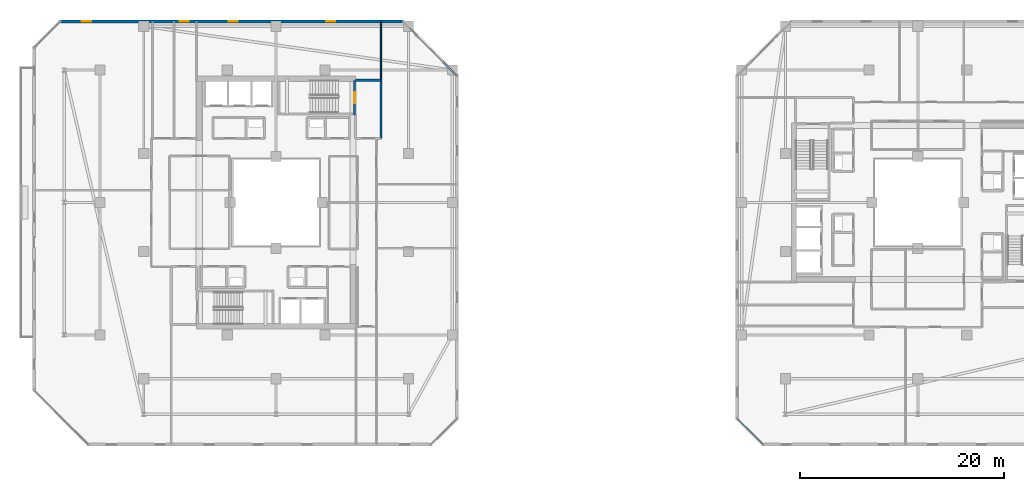
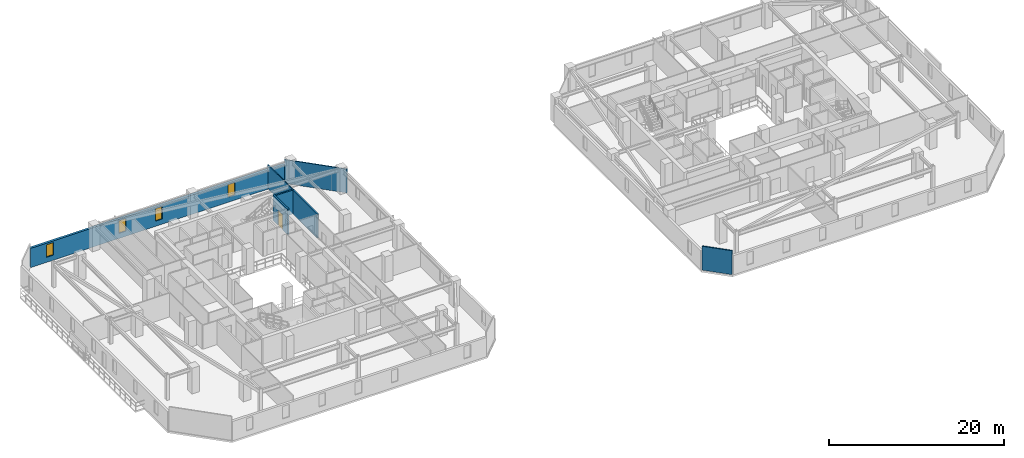
# One storey, part 21 of 32: 7 walls, 4 windows, 1 door, 5 openings.
"""IFC4 building model written with IfcOpenShell, lengths in metres."""

from ifc_helpers import new_model, si_unit, direction, frame, frame_2d, origin, place, context, subcontext, project, spatial, rectangle, extrude, material, layer, layer_set, type_object, element, fill, save


model = new_model("IFC4")

# Units and contexts
model_context = context("Model", 3, precision=1e-05, world=origin(), true_north=direction((0.0, 1.0)))
body_context = subcontext(model_context, "Body", "Model", "MODEL_VIEW")
ifc_project = project(units=[si_unit("LENGTHUNIT", "METRE"), si_unit("AREAUNIT", "SQUARE_METRE"), si_unit("VOLUMEUNIT", "CUBIC_METRE"), si_unit("PLANEANGLEUNIT", "RADIAN"), si_unit("MASSUNIT", "GRAM", prefix="KILO")], contexts=[model_context])

# Site, building, storey
site_placement = place(None, origin())
site = spatial("IfcSite", under=ifc_project, at=site_placement, CompositionType="ELEMENT")
building_placement = place(site_placement, origin())
building = spatial("IfcBuilding", under=site, at=building_placement, Name="Thornwick Lancets Civic Towers", CompositionType="ELEMENT")
storey_placement = place(building_placement, frame((0.0, 0.0, 240.300048828125)))
storey = spatial("IfcBuildingStorey", under=building, at=storey_placement, Name="L64", CompositionType="ELEMENT", Elevation=240.300048828125)

# Walls
ifc_material_1 = material(Name="Concrete blockwork C40/50", Category="masonry")
ifc_layer_1 = layer(ifc_material_1, 0.199951171875, Name="Concrete blockwork C40/50")
ifc_layer_set_1 = layer_set([ifc_layer_1], Name="Concrete blockwork C40/50")
wall_type_1 = type_object("IfcWallType", Name="WALL_COMP_200", PredefinedType="STANDARD", material=ifc_layer_set_1)
wall_1_placement = place(storey_placement, frame((35.800048828125, 33.300048828125, 0.0), z_axis=(0.0, 0.0, 1.0), x_axis=(0.0, 1.0, 0.0)))
element("IfcWall", 1, at=wall_1_placement, inside=storey, type_object=wall_type_1, Name="L64 Partition L64-A-FFLOB2 E2", PredefinedType="STANDARD", context=body_context, shape_type="SweptSolid", body=[
    extrude(rectangle(XDim=5.699951171875, YDim=0.199951171875, at=frame_2d((2.85009765625, 0.0))), origin(), (0.0, 0.0, 1.0), 3.33984375),
])
wall_2_placement = place(storey_placement, frame((35.800048828125, 39.0, 0.0), z_axis=(0.0, 0.0, 1.0), x_axis=(-1.0, 0.0, 0.0)))
element("IfcWall", 2, at=wall_2_placement, inside=storey, type_object=wall_type_1, Name="L64 Partition L64-A-FFLOB2 E3", PredefinedType="STANDARD", context=body_context, shape_type="SweptSolid", body=[
    extrude(rectangle(XDim=2.5, YDim=0.199951171875, at=frame_2d((1.25, 0.0))), origin(), (0.0, 0.0, 1.0), 3.33984375),
])

# Wall, openings, windows
ifc_material_2 = material(Name="Insulated russet terracotta rainscreen on concrete C40/50", Category="masonry")
ifc_layer_2 = layer(ifc_material_2, 0.300048828125, Name="Insulated russet terracotta rainscreen on concrete C40/50")
ifc_layer_set_2 = layer_set([ifc_layer_2], Name="Insulated russet terracotta rainscreen on concrete C40/50")
wall_type_2 = type_object("IfcWallType", Name="WALL_EXT_RUSSET_300", PredefinedType="STANDARD", material=ifc_layer_set_2)
wall_3_placement = place(storey_placement, frame((37.923583984375, 44.755615234375, 0.0), z_axis=(0.0, 0.0, 1.0), x_axis=(-0.999999963872, 0.000268805477, 0.0)))
wall_3 = element("IfcWall", 3, at=wall_3_placement, inside=storey, type_object=wall_type_2, Name="L64 Tower A Terracotta Facade Wall E4", PredefinedType="STANDARD", context=body_context, shape_type="SweptSolid", body=[
    extrude(rectangle(XDim=33.60498046875, YDim=0.300048828125, at=frame_2d((16.802490234375, 0.0))), origin(), (0.0, 0.0, 1.0), 2.699951171875),
])
opening_1_placement = place(wall_3_placement, frame((6.60009765625, 0.0, 0.719970703125)))
opening_1 = element("IfcOpeningElement", 4, at=opening_1_placement, cuts=wall_3, Name="Opening WL-01", PredefinedType="OPENING", context=body_context, shape_type="SweptSolid", body=[
    extrude(rectangle(XDim=0.89990234375, YDim=1.75, at=frame_2d((0.449951171875, 0.875))), frame((0.0, 0.16015625, 0.0), z_axis=(0.0, -1.0, 0.0), x_axis=(1.0, 0.0, 0.0)), (0.0, 0.0, 1.0), 0.320068359375),
])
opening_2_placement = place(wall_3_placement, frame((16.199951171875, 0.0, 0.719970703125)))
opening_2 = element("IfcOpeningElement", 5, at=opening_2_placement, cuts=wall_3, Name="Opening WL-01", PredefinedType="OPENING", context=body_context, shape_type="SweptSolid", body=[
    extrude(rectangle(XDim=0.89990234375, YDim=1.75, at=frame_2d((0.449951171875, 0.875))), frame((0.0, 0.16015625, 0.0), z_axis=(0.0, -1.0, 0.0), x_axis=(1.0, 0.0, 0.0)), (0.0, 0.0, 1.0), 0.320068359375),
])
opening_3_placement = place(wall_3_placement, frame((21.0, 0.0, 0.719970703125)))
opening_3 = element("IfcOpeningElement", 6, at=opening_3_placement, cuts=wall_3, Name="Opening WL-01", PredefinedType="OPENING", context=body_context, shape_type="SweptSolid", body=[
    extrude(rectangle(XDim=0.89990234375, YDim=1.75, at=frame_2d((0.449951171875, 0.875))), frame((0.0, 0.16015625, 0.0), z_axis=(0.0, -1.0, 0.0), x_axis=(1.0, 0.0, 0.0)), (0.0, 0.0, 1.0), 0.320068359375),
])
opening_4_placement = place(wall_3_placement, frame((30.60009765625, 0.0, 0.719970703125)))
opening_4 = element("IfcOpeningElement", 7, at=opening_4_placement, cuts=wall_3, Name="Opening WL-01", PredefinedType="OPENING", context=body_context, shape_type="SweptSolid", body=[
    extrude(rectangle(XDim=0.89990234375, YDim=1.75, at=frame_2d((0.449951171875, 0.875))), frame((0.0, 0.16015625, 0.0), z_axis=(0.0, -1.0, 0.0), x_axis=(1.0, 0.0, 0.0)), (0.0, 0.0, 1.0), 0.320068359375),
])
ifc_material_3 = material(Name="Clear low-e double glazing in bronze frame", Category="glass")
window_type = type_object("IfcWindowType", Name="WIN_LANCET_900", PartitioningType="SINGLE_PANEL", PredefinedType="WINDOW", material=ifc_material_3)
window_1_placement = place(opening_1_placement, origin())
window_1 = element("IfcWindow", 8, at=window_1_placement, inside=storey, type_object=window_type, Name="L64 Tower A Staggered Lancet Window E4-1", OverallHeight=1.75, OverallWidth=0.89990234375, PartitioningType="SINGLE_PANEL", PredefinedType="WINDOW", context=body_context, shape_type="SweptSolid", body=[
    extrude(rectangle(XDim=0.89990234375, YDim=1.75, at=frame_2d((0.449951171875, 0.875))), frame((0.0, 0.030029296875, 0.0), z_axis=(0.0, -1.0, 0.0), x_axis=(1.0, 0.0, 0.0)), (0.0, 0.0, 1.0), 0.06005859375),
])
fill(opening_1, window_1)
window_2_placement = place(opening_2_placement, origin())
window_2 = element("IfcWindow", 9, at=window_2_placement, inside=storey, type_object=window_type, Name="L64 Tower A Staggered Lancet Window E4-2", OverallHeight=1.75, OverallWidth=0.89990234375, PartitioningType="SINGLE_PANEL", PredefinedType="WINDOW", context=body_context, shape_type="SweptSolid", body=[
    extrude(rectangle(XDim=0.89990234375, YDim=1.75, at=frame_2d((0.449951171875, 0.875))), frame((0.0, 0.030029296875, 0.0), z_axis=(0.0, -1.0, 0.0), x_axis=(1.0, 0.0, 0.0)), (0.0, 0.0, 1.0), 0.06005859375),
])
fill(opening_2, window_2)
window_3_placement = place(opening_3_placement, origin())
window_3 = element("IfcWindow", 10, at=window_3_placement, inside=storey, type_object=window_type, Name="L64 Tower A Staggered Lancet Window E4-3", OverallHeight=1.75, OverallWidth=0.89990234375, PartitioningType="SINGLE_PANEL", PredefinedType="WINDOW", context=body_context, shape_type="SweptSolid", body=[
    extrude(rectangle(XDim=0.89990234375, YDim=1.75, at=frame_2d((0.449951171875, 0.875))), frame((0.0, 0.030029296875, 0.0), z_axis=(0.0, -1.0, 0.0), x_axis=(1.0, 0.0, 0.0)), (0.0, 0.0, 1.0), 0.06005859375),
])
fill(opening_3, window_3)
window_4_placement = place(opening_4_placement, origin())
window_4 = element("IfcWindow", 11, at=window_4_placement, inside=storey, type_object=window_type, Name="L64 Tower A Staggered Lancet Window E4-4", OverallHeight=1.75, OverallWidth=0.89990234375, PartitioningType="SINGLE_PANEL", PredefinedType="WINDOW", context=body_context, shape_type="SweptSolid", body=[
    extrude(rectangle(XDim=0.89990234375, YDim=1.75, at=frame_2d((0.449951171875, 0.875))), frame((0.0, 0.030029296875, 0.0), z_axis=(0.0, -1.0, 0.0), x_axis=(1.0, 0.0, 0.0)), (0.0, 0.0, 1.0), 0.06005859375),
])
fill(opening_4, window_4)

# Walls
ifc_material_4 = material(Name="Acoustic gypsum board partition")
ifc_layer_3 = layer(ifc_material_4, 0.1201171875, Name="Acoustic gypsum board partition")
ifc_layer_set_3 = layer_set([ifc_layer_3], Name="Acoustic gypsum board partition")
wall_type_3 = type_object("IfcWallType", Name="WALL_PART_120", PredefinedType="PARTITIONING", material=ifc_layer_set_3)
wall_4_placement = place(storey_placement, frame((35.800048828125, 39.0, 0.0), z_axis=(0.0, 0.0, 1.0), x_axis=(0.0, 1.0, 0.0)))
element("IfcWall", 12, at=wall_4_placement, inside=storey, type_object=wall_type_3, Name="L64 Partition L64-A-E3 E3", PredefinedType="PARTITIONING", context=body_context, shape_type="SweptSolid", body=[
    extrude(rectangle(XDim=5.719970703125, YDim=0.1201171875, at=frame_2d((2.85986328125, 0.0))), origin(), (0.0, 0.0, 1.0), 3.33984375),
])
wall_5_placement = place(storey_placement, frame((37.956298828125, 44.719970703125, 0.0), z_axis=(0.0, 0.0, 1.0), x_axis=(0.707106781187, -0.707106781187, 0.0)))
element("IfcWall", 13, at=wall_5_placement, inside=storey, type_object=wall_type_3, Name="L64 Partition L64-A-E3 E5", PredefinedType="PARTITIONING", context=body_context, shape_type="SweptSolid", body=[
    extrude(rectangle(XDim=7.44384765625, YDim=0.1201171875, at=frame_2d((3.721923828125, 0.0))), origin(), (0.0, 0.0, 1.0), 3.33984375),
])
ifc_material_5 = material(Name="Twin-stud acoustic gypsum board")
ifc_layer_4 = layer(ifc_material_5, 0.14990234375, Name="Twin-stud acoustic gypsum board")
ifc_layer_set_4 = layer_set([ifc_layer_4], Name="Twin-stud acoustic gypsum board")
wall_type_4 = type_object("IfcWallType", Name="WALL_PART_150", PredefinedType="PARTITIONING", material=ifc_layer_set_4)
wall_6_placement = place(storey_placement, frame((73.274658203125, 3.280029296875, 0.0), z_axis=(0.0, 0.0, 1.0), x_axis=(-0.707106781187, 0.707106781187, 0.0)))
element("IfcWall", 14, at=wall_6_placement, inside=storey, type_object=wall_type_4, Name="L64 Partition L64-B-W2 E2", PredefinedType="PARTITIONING", context=body_context, shape_type="SweptSolid", body=[
    extrude(rectangle(XDim=3.52783203125, YDim=0.14990234375, at=frame_2d((1.763916015625, 0.0))), origin(), (0.0, 0.0, 1.0), 3.33984375),
])

# Wall, opening, door
ifc_material_6 = material(Name="Concrete C40/50", Category="concrete")
ifc_layer_5 = layer(ifc_material_6, 0.199951171875, Name="Concrete C40/50")
ifc_layer_set_5 = layer_set([ifc_layer_5], Name="Concrete C40/50")
wall_type_5 = type_object("IfcWallType", Name="WALL_SHAFT_200", PredefinedType="SHEAR", material=ifc_layer_set_5)
wall_7_placement = place(storey_placement, frame((33.199951171875, 38.949951171875, 0.0), z_axis=(0.0, 0.0, 1.0), x_axis=(0.0, -1.0, 0.0)))
wall_7 = element("IfcWall", 15, at=wall_7_placement, inside=storey, type_object=wall_type_5, Name="L64 ST-A2 Fire Stair Core Wall NEAR", PredefinedType="SHEAR", context=body_context, shape_type="SweptSolid", body=[
    extrude(rectangle(XDim=3.349853515625, YDim=0.199951171875, at=frame_2d((1.6748046875, 0.0))), origin(), (0.0, 0.0, 1.0), 3.599853515625),
])
opening_5_placement = place(wall_7_placement, frame((1.125, 0.0, 0.0)))
opening_5 = element("IfcOpeningElement", 16, at=opening_5_placement, cuts=wall_7, Name="Opening D-ST-A2-L64", PredefinedType="OPENING", context=body_context, shape_type="SweptSolid", body=[
    extrude(rectangle(XDim=1.10009765625, YDim=2.10009765625, at=frame_2d((0.550048828125, 1.050048828125))), frame((0.0, 0.10986328125, 0.0), z_axis=(0.0, -1.0, 0.0), x_axis=(1.0, 0.0, 0.0)), (0.0, 0.0, 1.0), 0.219970703125),
])
ifc_material_7 = material(Name="Fire-resisting steel and hardwood", Category="steel")
door_type = type_object("IfcDoorType", Name="DOOR_STAIR_FD60", OperationType="NOTDEFINED", PredefinedType="DOOR", material=ifc_material_7)
door_placement = place(opening_5_placement, origin())
door = element("IfcDoor", 17, at=door_placement, inside=storey, type_object=door_type, Name="L64 ST-A2 Exit Stair Door", OperationType="SINGLE_SWING_LEFT", OverallHeight=2.10009765625, OverallWidth=1.10009765625, PredefinedType="DOOR", context=body_context, shape_type="SweptSolid", body=[
    extrude(rectangle(XDim=1.10009765625, YDim=2.10009765625, at=frame_2d((0.550048828125, 1.050048828125))), frame((0.0, 0.02490234375, 0.0), z_axis=(0.0, -1.0, 0.0), x_axis=(1.0, 0.0, 0.0)), (0.0, 0.0, 1.0), 0.050048828125),
])
fill(opening_5, door)

save(model, "model.ifc")
